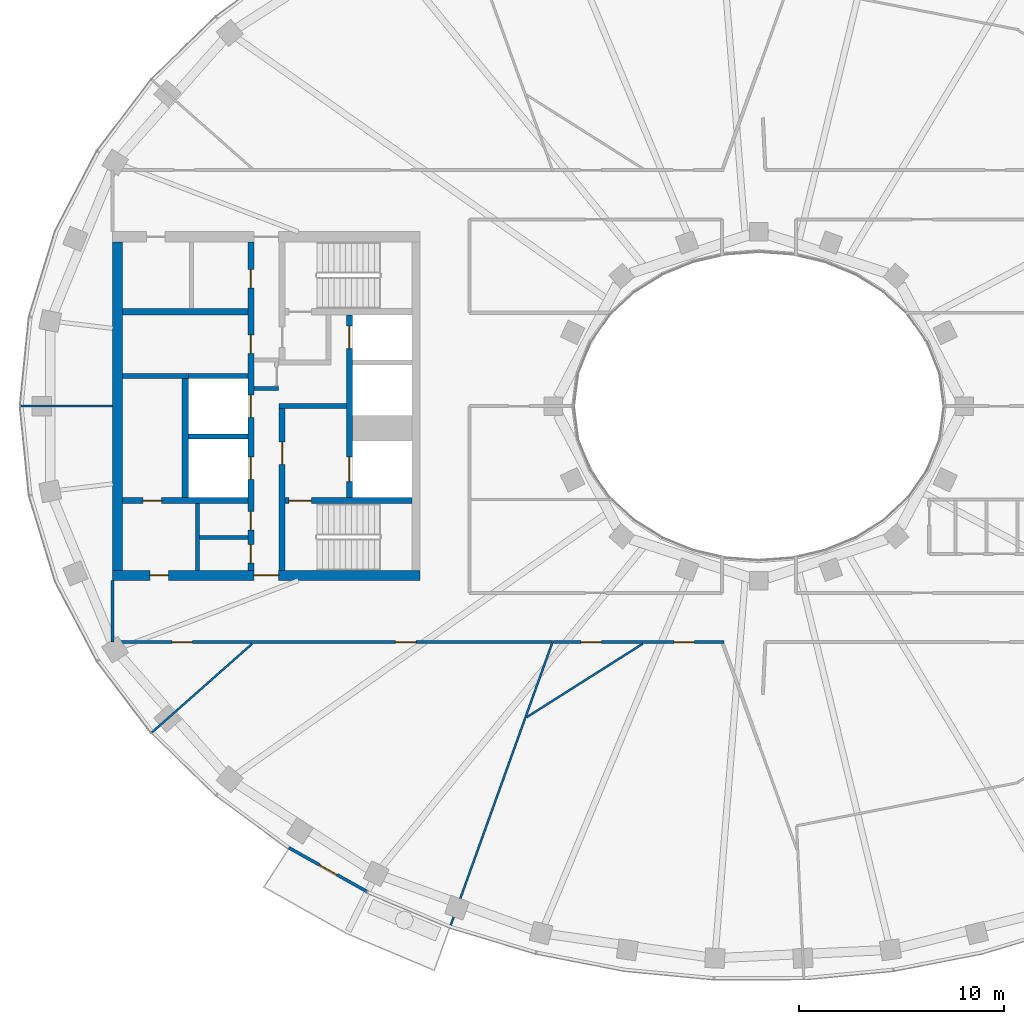
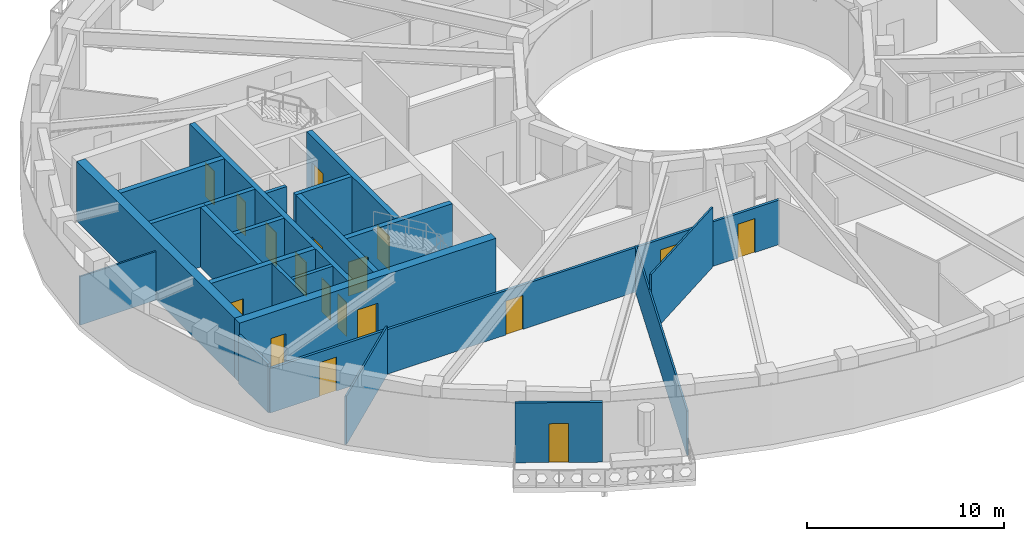
# One storey, part 3 of 15: 24 walls, 18 doors, 18 openings.
"""IFC4 building model written with IfcOpenShell, lengths in metres."""

from ifc_helpers import new_model, si_unit, direction, frame, frame_2d, origin, place, context, subcontext, project, spatial, rectangle, extrude, material, layer, layer_set, type_object, element, fill, save


model = new_model("IFC4")

# Units and contexts
model_context = context("Model", 3, precision=1e-05, world=origin(), true_north=direction((0.0, 1.0)))
body_context = subcontext(model_context, "Body", "Model", "MODEL_VIEW")
ifc_project = project(units=[si_unit("LENGTHUNIT", "METRE"), si_unit("AREAUNIT", "SQUARE_METRE"), si_unit("VOLUMEUNIT", "CUBIC_METRE"), si_unit("PLANEANGLEUNIT", "RADIAN"), si_unit("MASSUNIT", "GRAM", prefix="KILO")], contexts=[model_context])

# Site, building, storey
site_placement = place(None, origin())
site = spatial("IfcSite", under=ifc_project, at=site_placement, CompositionType="ELEMENT")
building_placement = place(site_placement, origin())
building = spatial("IfcBuilding", under=site, at=building_placement, Name="Noorbagh Ring Tower", CompositionType="ELEMENT")
storey_placement = place(building_placement, frame((0.0, 0.0, 307.0)))
storey = spatial("IfcBuildingStorey", under=building, at=storey_placement, Name="L66", CompositionType="ELEMENT", Elevation=307.0)

# Walls
ifc_material_1 = material(Name="Gypsum board on steel studs", Category="steel")
ifc_layer_1 = layer(ifc_material_1, 0.199951171875)
ifc_layer_set_1 = layer_set([ifc_layer_1], Name="Gypsum board on steel studs")
wall_type_1 = type_object("IfcWallType", Name="CORE-PARTITION-200", PredefinedType="PARTITIONING", material=ifc_layer_set_1)
wall_1_placement = place(storey_placement, frame((-23.39990234375, 0.85009765625, 0.0), z_axis=(0.0, 0.0, 1.0), x_axis=(-1.0, 0.0, 0.0)))
element("IfcWall", 1, at=wall_1_placement, inside=storey, type_object=wall_type_1, Name="Core partition W", PredefinedType="PARTITIONING", context=body_context, shape_type="SweptSolid", body=[
    extrude(rectangle(XDim=1.2001953125, YDim=0.199951171875, at=frame_2d((0.60009765625, 0.0))), origin(), (0.0, 0.0, 1.0), 3.699951171875),
])
wall_2_placement = place(storey_placement, frame((-27.35009765625, -8.0, 0.0), z_axis=(0.0, 0.0, 1.0), x_axis=(0.0, 1.0, 0.0)))
element("IfcWall", 2, at=wall_2_placement, inside=storey, type_object=wall_type_1, Name="Core partition W", PredefinedType="PARTITIONING", context=body_context, shape_type="SweptSolid", body=[
    extrude(rectangle(XDim=3.25, YDim=0.199951171875, at=frame_2d((1.625, 0.0))), origin(), (0.0, 0.0, 1.0), 3.699951171875),
])
wall_3_placement = place(storey_placement, frame((-24.89990234375, -6.39990234375, 0.0), z_axis=(0.0, 0.0, 1.0), x_axis=(-1.0, 0.0, 0.0)))
element("IfcWall", 3, at=wall_3_placement, inside=storey, type_object=wall_type_1, Name="Core partition W", PredefinedType="PARTITIONING", context=body_context, shape_type="SweptSolid", body=[
    extrude(rectangle(XDim=2.35009765625, YDim=0.199951171875, at=frame_2d((1.175048828125, 0.0))), origin(), (0.0, 0.0, 1.0), 3.699951171875),
])
ifc_material_2 = material(Name="Concrete C50/60", Category="concrete")
ifc_layer_2 = layer(ifc_material_2, 0.25)
ifc_layer_set_2 = layer_set([ifc_layer_2], Name="Concrete C50/60")
wall_type_2 = type_object("IfcWallType", Name="CORE-WALL-250-C50-60-EI120", PredefinedType="SHEAR", material=ifc_layer_set_2)
wall_4_placement = place(storey_placement, frame((-27.800048828125, 1.47509765625, 0.0), z_axis=(0.0, 0.0, 1.0), x_axis=(-1.0, 0.0, 0.0)))
element("IfcWall", 4, at=wall_4_placement, inside=storey, type_object=wall_type_2, Name="Core wall W", PredefinedType="SHEAR", context=body_context, shape_type="SweptSolid", body=[
    extrude(rectangle(XDim=3.199951171875, YDim=0.25, at=frame_2d((1.60009765625, 0.0))), origin(), (0.0, 0.0, 1.0), 3.699951171875),
])
for number, where, z_axis, x_axis, name in (
    (5, (-24.89990234375, -1.47509765625, 0.0), (0.0, 0.0, 1.0), (-1.0, 0.0, 0.0), "Core wall W"),
    (6, (-24.89990234375, 1.47509765625, 0.0), (0.0, 0.0, 1.0), (-1.0, 0.0, 0.0), "Core wall W"),
):
    element("IfcWall", number, at=place(storey_placement, frame(where, z_axis=z_axis, x_axis=x_axis)), inside=storey, type_object=wall_type_2, Name=name, PredefinedType="SHEAR", context=body_context, shape_type="SweptSolid", body=[
        extrude(rectangle(XDim=2.900146484375, YDim=0.25, at=frame_2d((1.4501953125, 0.0))), origin(), (0.0, 0.0, 1.0), 3.699951171875),
    ])
ifc_material_3 = material(Name="Concrete C50/60", Category="concrete")
ifc_layer_3 = layer(ifc_material_3, 0.25)
ifc_layer_set_3 = layer_set([ifc_layer_3], Name="Concrete C50/60")
wall_type_3 = type_object("IfcWallType", Name="CORE-WALL-250-C50-60-EI240", PredefinedType="SHEAR", material=ifc_layer_set_3)
wall_5_placement = place(storey_placement, frame((-20.10009765625, 0.0, 0.0), z_axis=(0.0, 0.0, 1.0), x_axis=(-1.0, 0.0, 0.0)))
element("IfcWall", 7, at=wall_5_placement, inside=storey, type_object=wall_type_3, Name="Core wall W", PredefinedType="SHEAR", context=body_context, shape_type="SweptSolid", body=[
    extrude(rectangle(XDim=3.27978515625, YDim=0.25, at=frame_2d((1.639892578125, 0.0))), origin(), (0.0, 0.0, 1.0), 3.699951171875),
])
ifc_material_4 = material(Name="Concrete C50/60", Category="concrete")
ifc_layer_4 = layer(ifc_material_4, 0.300048828125)
ifc_layer_set_4 = layer_set([ifc_layer_4], Name="Concrete C50/60")
wall_type_4 = type_object("IfcWallType", Name="CORE-WALL-300-C50-60-EI120", PredefinedType="SHEAR", material=ifc_layer_set_4)
wall_6_placement = place(storey_placement, frame((-27.949951171875, -4.449951171875, 0.0), z_axis=(0.0, 0.0, 1.0), x_axis=(0.0, 1.0, 0.0)))
element("IfcWall", 8, at=wall_6_placement, inside=storey, type_object=wall_type_4, Name="Core wall W", PredefinedType="SHEAR", context=body_context, shape_type="SweptSolid", body=[
    extrude(rectangle(XDim=5.800048828125, YDim=0.300048828125, at=frame_2d((2.89990234375, 0.0))), origin(), (0.0, 0.0, 1.0), 3.699951171875),
])

# Wall, openings, doors
wall_7_placement = place(storey_placement, frame((-19.949951171875, -4.449951171875, 0.0), z_axis=(0.0, 0.0, 1.0), x_axis=(0.0, 1.0, 0.0)))
wall_7 = element("IfcWall", 9, at=wall_7_placement, inside=storey, type_object=wall_type_4, Name="Core wall W", PredefinedType="SHEAR", context=body_context, shape_type="SweptSolid", body=[
    extrude(rectangle(XDim=8.89990234375, YDim=0.300048828125, at=frame_2d((4.449951171875, 0.0))), origin(), (0.0, 0.0, 1.0), 3.699951171875),
])
opening_1_placement = place(wall_7_placement, frame((0.77490234375, 0.0, 0.0)))
opening_1 = element("IfcOpeningElement", 10, at=opening_1_placement, cuts=wall_7, Name="Opening L66-CW01", PredefinedType="OPENING", context=body_context, shape_type="SweptSolid", body=[
    extrude(rectangle(XDim=1.199951171875, YDim=2.10009765625, at=frame_2d((0.60009765625, 1.050048828125))), frame((0.0, 0.16015625, 0.0), z_axis=(0.0, -1.0, 0.0), x_axis=(1.0, 0.0, 0.0)), (0.0, 0.0, 1.0), 0.320068359375),
])
opening_2_placement = place(wall_7_placement, frame((7.25, 0.0, 0.0)))
opening_2 = element("IfcOpeningElement", 11, at=opening_2_placement, cuts=wall_7, Name="Opening L66-CW02", PredefinedType="OPENING", context=body_context, shape_type="SweptSolid", body=[
    extrude(rectangle(XDim=1.10009765625, YDim=2.10009765625, at=frame_2d((0.550048828125, 1.050048828125))), frame((0.0, 0.16015625, 0.0), z_axis=(0.0, -1.0, 0.0), x_axis=(1.0, 0.0, 0.0)), (0.0, 0.0, 1.0), 0.320068359375),
])
ifc_material_5 = material(Name="Steel door leaf", Category="steel")
door_type_1 = type_object("IfcDoorType", Name="CORE-DOOR-LD", OperationType="DOUBLE_DOOR_SLIDING", PredefinedType="DOOR", material=ifc_material_5)
door_1_placement = place(opening_2_placement, origin())
door_1 = element("IfcDoor", 12, at=door_1_placement, inside=storey, type_object=door_type_1, Name="Landing door HR1 L66-CW02", OperationType="DOUBLE_DOOR_SLIDING", OverallHeight=2.10009765625, OverallWidth=1.10009765625, PredefinedType="DOOR", context=body_context, shape_type="SweptSolid", body=[
    extrude(rectangle(XDim=1.10009765625, YDim=2.10009765625, at=frame_2d((0.550048828125, 1.050048828125))), frame((0.0, 0.02490234375, 0.0), z_axis=(0.0, -1.0, 0.0), x_axis=(1.0, 0.0, 0.0)), (0.0, 0.0, 1.0), 0.050048828125),
])
fill(opening_2, door_1)
ifc_material_6 = material(Name="Steel door leaf", Category="steel")
door_type_2 = type_object("IfcDoorType", Name="CORE-DOOR-LDW", OperationType="DOUBLE_DOOR_SLIDING", PredefinedType="DOOR", material=ifc_material_6)
door_2_placement = place(opening_1_placement, origin())
door_2 = element("IfcDoor", 13, at=door_2_placement, inside=storey, type_object=door_type_2, Name="Landing door FF1 L66-CW01", OperationType="DOUBLE_DOOR_SLIDING", OverallHeight=2.10009765625, OverallWidth=1.199951171875, PredefinedType="DOOR", context=body_context, shape_type="SweptSolid", body=[
    extrude(rectangle(XDim=1.199951171875, YDim=2.10009765625, at=frame_2d((0.60009765625, 1.050048828125))), frame((0.0, 0.02490234375, 0.0), z_axis=(0.0, -1.0, 0.0), x_axis=(1.0, 0.0, 0.0)), (0.0, 0.0, 1.0), 0.050048828125),
])
fill(opening_1, door_2)

wall_8_placement = place(storey_placement, frame((-24.75, -8.0, 0.0), z_axis=(0.0, 0.0, 1.0), x_axis=(0.0, 1.0, 0.0)))
wall_8 = element("IfcWall", 14, at=wall_8_placement, inside=storey, type_object=wall_type_4, Name="Core wall W", PredefinedType="SHEAR", context=body_context, shape_type="SweptSolid", body=[
    extrude(rectangle(XDim=16.0, YDim=0.300048828125, at=frame_2d((8.0, 0.0))), origin(), (0.0, 0.0, 1.0), 3.699951171875),
])
opening_3_placement = place(wall_8_placement, frame((4.425048828125, 0.0, 0.0)))
opening_3 = element("IfcOpeningElement", 15, at=opening_3_placement, cuts=wall_8, Name="Opening L66-CW03", PredefinedType="OPENING", context=body_context, shape_type="SweptSolid", body=[
    extrude(rectangle(XDim=1.10009765625, YDim=2.10009765625, at=frame_2d((0.550048828125, 1.050048828125))), frame((0.0, 0.16015625, 0.0), z_axis=(0.0, -1.0, 0.0), x_axis=(1.0, 0.0, 0.0)), (0.0, 0.0, 1.0), 0.320068359375),
])
opening_4_placement = place(wall_8_placement, frame((7.449951171875, 0.0, 0.0)))
opening_4 = element("IfcOpeningElement", 16, at=opening_4_placement, cuts=wall_8, Name="Opening L66-CW04", PredefinedType="OPENING", context=body_context, shape_type="SweptSolid", body=[
    extrude(rectangle(XDim=1.10009765625, YDim=2.10009765625, at=frame_2d((0.550048828125, 1.050048828125))), frame((0.0, 0.16015625, 0.0), z_axis=(0.0, -1.0, 0.0), x_axis=(1.0, 0.0, 0.0)), (0.0, 0.0, 1.0), 0.320068359375),
])
opening_5_placement = place(wall_8_placement, frame((10.574951171875, 0.0, 0.0)))
opening_5 = element("IfcOpeningElement", 17, at=opening_5_placement, cuts=wall_8, Name="Opening L66-CW11", PredefinedType="OPENING", context=body_context, shape_type="SweptSolid", body=[
    extrude(rectangle(XDim=0.89990234375, YDim=2.10009765625, at=frame_2d((0.449951171875, 1.050048828125))), frame((0.0, 0.16015625, 0.0), z_axis=(0.0, -1.0, 0.0), x_axis=(1.0, 0.0, 0.0)), (0.0, 0.0, 1.0), 0.320068359375),
])
opening_6_placement = place(wall_8_placement, frame((13.75, 0.0, 0.0)))
opening_6 = element("IfcOpeningElement", 18, at=opening_6_placement, cuts=wall_8, Name="Opening L66-CW12", PredefinedType="OPENING", context=body_context, shape_type="SweptSolid", body=[
    extrude(rectangle(XDim=0.89990234375, YDim=2.10009765625, at=frame_2d((0.449951171875, 1.050048828125))), frame((0.0, 0.16015625, 0.0), z_axis=(0.0, -1.0, 0.0), x_axis=(1.0, 0.0, 0.0)), (0.0, 0.0, 1.0), 0.320068359375),
])
opening_7_placement = place(wall_8_placement, frame((1.97509765625, 0.0, 0.0)))
opening_7 = element("IfcOpeningElement", 19, at=opening_7_placement, cuts=wall_8, Name="Opening L66-CW14", PredefinedType="OPENING", context=body_context, shape_type="SweptSolid", body=[
    extrude(rectangle(XDim=0.89990234375, YDim=2.10009765625, at=frame_2d((0.449951171875, 1.050048828125))), frame((0.0, 0.16015625, 0.0), z_axis=(0.0, -1.0, 0.0), x_axis=(1.0, 0.0, 0.0)), (0.0, 0.0, 1.0), 0.320068359375),
])
opening_8_placement = place(wall_8_placement, frame((0.35009765625, 0.0, 0.0)))
opening_8 = element("IfcOpeningElement", 20, at=opening_8_placement, cuts=wall_8, Name="Opening L66-CW15", PredefinedType="OPENING", context=body_context, shape_type="SweptSolid", body=[
    extrude(rectangle(XDim=0.89990234375, YDim=2.10009765625, at=frame_2d((0.449951171875, 1.050048828125))), frame((0.0, 0.16015625, 0.0), z_axis=(0.0, -1.0, 0.0), x_axis=(1.0, 0.0, 0.0)), (0.0, 0.0, 1.0), 0.320068359375),
])
ifc_material_7 = material(Name="Steel door leaf", Category="steel")
door_type_3 = type_object("IfcDoorType", Name="CORE-DOOR-DROOM", OperationType="SINGLE_SWING_LEFT", PredefinedType="DOOR", material=ifc_material_7)
door_3_placement = place(opening_5_placement, origin())
door_3 = element("IfcDoor", 21, at=door_3_placement, inside=storey, type_object=door_type_3, Name="Core room door L66-CW11", OperationType="SINGLE_SWING_RIGHT", OverallHeight=2.10009765625, OverallWidth=0.89990234375, PredefinedType="DOOR", context=body_context, shape_type="SweptSolid", body=[
    extrude(rectangle(XDim=0.89990234375, YDim=2.10009765625, at=frame_2d((0.449951171875, 1.050048828125))), frame((0.0, 0.02490234375, 0.0), z_axis=(0.0, -1.0, 0.0), x_axis=(1.0, 0.0, 0.0)), (0.0, 0.0, 1.0), 0.050048828125),
])
fill(opening_5, door_3)
door_4_placement = place(opening_6_placement, origin())
door_4 = element("IfcDoor", 22, at=door_4_placement, inside=storey, type_object=door_type_3, Name="Core room door L66-CW12", OperationType="SINGLE_SWING_RIGHT", OverallHeight=2.10009765625, OverallWidth=0.89990234375, PredefinedType="DOOR", context=body_context, shape_type="SweptSolid", body=[
    extrude(rectangle(XDim=0.89990234375, YDim=2.10009765625, at=frame_2d((0.449951171875, 1.050048828125))), frame((0.0, 0.02490234375, 0.0), z_axis=(0.0, -1.0, 0.0), x_axis=(1.0, 0.0, 0.0)), (0.0, 0.0, 1.0), 0.050048828125),
])
fill(opening_6, door_4)
door_5_placement = place(opening_7_placement, origin())
door_5 = element("IfcDoor", 23, at=door_5_placement, inside=storey, type_object=door_type_3, Name="Core room door L66-CW14", OperationType="SINGLE_SWING_RIGHT", OverallHeight=2.10009765625, OverallWidth=0.89990234375, PredefinedType="DOOR", context=body_context, shape_type="SweptSolid", body=[
    extrude(rectangle(XDim=0.89990234375, YDim=2.10009765625, at=frame_2d((0.449951171875, 1.050048828125))), frame((0.0, 0.02490234375, 0.0), z_axis=(0.0, -1.0, 0.0), x_axis=(1.0, 0.0, 0.0)), (0.0, 0.0, 1.0), 0.050048828125),
])
fill(opening_7, door_5)
door_6_placement = place(opening_8_placement, origin())
door_6 = element("IfcDoor", 24, at=door_6_placement, inside=storey, type_object=door_type_3, Name="Core room door L66-CW15", OperationType="SINGLE_SWING_LEFT", OverallHeight=2.10009765625, OverallWidth=0.89990234375, PredefinedType="DOOR", context=body_context, shape_type="SweptSolid", body=[
    extrude(rectangle(XDim=0.89990234375, YDim=2.10009765625, at=frame_2d((0.449951171875, 1.050048828125))), frame((0.0, 0.02490234375, 0.0), z_axis=(0.0, -1.0, 0.0), x_axis=(1.0, 0.0, 0.0)), (0.0, 0.0, 1.0), 0.050048828125),
])
fill(opening_8, door_6)
door_7_placement = place(opening_3_placement, origin())
door_7 = element("IfcDoor", 25, at=door_7_placement, inside=storey, type_object=door_type_1, Name="Landing door HR5 L66-CW03", OperationType="DOUBLE_DOOR_SLIDING", OverallHeight=2.10009765625, OverallWidth=1.10009765625, PredefinedType="DOOR", context=body_context, shape_type="SweptSolid", body=[
    extrude(rectangle(XDim=1.10009765625, YDim=2.10009765625, at=frame_2d((0.550048828125, 1.050048828125))), frame((0.0, 0.02490234375, 0.0), z_axis=(0.0, -1.0, 0.0), x_axis=(1.0, 0.0, 0.0)), (0.0, 0.0, 1.0), 0.050048828125),
])
fill(opening_3, door_7)
door_8_placement = place(opening_4_placement, origin())
door_8 = element("IfcDoor", 26, at=door_8_placement, inside=storey, type_object=door_type_1, Name="Landing door HR6 L66-CW04", OperationType="DOUBLE_DOOR_SLIDING", OverallHeight=2.10009765625, OverallWidth=1.10009765625, PredefinedType="DOOR", context=body_context, shape_type="SweptSolid", body=[
    extrude(rectangle(XDim=1.10009765625, YDim=2.10009765625, at=frame_2d((0.550048828125, 1.050048828125))), frame((0.0, 0.02490234375, 0.0), z_axis=(0.0, -1.0, 0.0), x_axis=(1.0, 0.0, 0.0)), (0.0, 0.0, 1.0), 0.050048828125),
])
fill(opening_4, door_8)

# Wall
ifc_material_8 = material(Name="Concrete C50/60", Category="concrete")
ifc_layer_5 = layer(ifc_material_8, 0.300048828125)
ifc_layer_set_5 = layer_set([ifc_layer_5], Name="Concrete C50/60")
wall_type_5 = type_object("IfcWallType", Name="CORE-WALL-300-C50-60-EI240", PredefinedType="SHEAR", material=ifc_layer_set_5)
wall_9_placement = place(storey_placement, frame((-24.89990234375, 4.60009765625, 0.0), z_axis=(0.0, 0.0, 1.0), x_axis=(-1.0, 0.0, 0.0)))
element("IfcWall", 27, at=wall_9_placement, inside=storey, type_object=wall_type_5, Name="Core wall W", PredefinedType="SHEAR", context=body_context, shape_type="SweptSolid", body=[
    extrude(rectangle(XDim=6.10009765625, YDim=0.300048828125, at=frame_2d((3.050048828125, 0.0))), origin(), (0.0, 0.0, 1.0), 3.699951171875),
])

# Wall, opening, door
wall_10_placement = place(storey_placement, frame((-24.89990234375, -4.60009765625, 0.0), z_axis=(0.0, 0.0, 1.0), x_axis=(-1.0, 0.0, 0.0)))
wall_10 = element("IfcWall", 28, at=wall_10_placement, inside=storey, type_object=wall_type_5, Name="Core wall W", PredefinedType="SHEAR", context=body_context, shape_type="SweptSolid", body=[
    extrude(rectangle(XDim=6.10009765625, YDim=0.300048828125, at=frame_2d((3.050048828125, 0.0))), origin(), (0.0, 0.0, 1.0), 3.699951171875),
])
opening_9_placement = place(wall_10_placement, frame((4.199951171875, 0.0, 0.0)))
opening_9 = element("IfcOpeningElement", 29, at=opening_9_placement, cuts=wall_10, Name="Opening L66-CW18", PredefinedType="OPENING", context=body_context, shape_type="SweptSolid", body=[
    extrude(rectangle(XDim=0.89990234375, YDim=2.10009765625, at=frame_2d((0.449951171875, 1.050048828125))), frame((0.0, 0.16015625, 0.0), z_axis=(0.0, -1.0, 0.0), x_axis=(1.0, 0.0, 0.0)), (0.0, 0.0, 1.0), 0.320068359375),
])
door_9_placement = place(opening_9_placement, origin())
door_9 = element("IfcDoor", 30, at=door_9_placement, inside=storey, type_object=door_type_3, Name="Core room door L66-CW18", OperationType="SINGLE_SWING_RIGHT", OverallHeight=2.10009765625, OverallWidth=0.89990234375, PredefinedType="DOOR", context=body_context, shape_type="SweptSolid", body=[
    extrude(rectangle(XDim=0.89990234375, YDim=2.10009765625, at=frame_2d((0.449951171875, 1.050048828125))), frame((0.0, 0.02490234375, 0.0), z_axis=(0.0, -1.0, 0.0), x_axis=(1.0, 0.0, 0.0)), (0.0, 0.0, 1.0), 0.050048828125),
])
fill(opening_9, door_9)

wall_11_placement = place(storey_placement, frame((-23.22998046875, -8.0, 0.0), z_axis=(0.0, 0.0, 1.0), x_axis=(0.0, 1.0, 0.0)))
wall_11 = element("IfcWall", 31, at=wall_11_placement, inside=storey, type_object=wall_type_5, Name="Core wall W", PredefinedType="SHEAR", context=body_context, shape_type="SweptSolid", body=[
    extrude(rectangle(XDim=7.875, YDim=0.300048828125, at=frame_2d((3.9375, 0.0))), origin(), (0.0, 0.0, 1.0), 3.699951171875),
])
opening_10_placement = place(wall_11_placement, frame((5.14990234375, 0.0, 0.0)))
opening_10 = element("IfcOpeningElement", 32, at=opening_10_placement, cuts=wall_11, Name="Opening L66-CW07", PredefinedType="OPENING", context=body_context, shape_type="SweptSolid", body=[
    extrude(rectangle(XDim=1.10009765625, YDim=2.10009765625, at=frame_2d((0.550048828125, 1.050048828125))), frame((0.0, 0.16015625, 0.0), z_axis=(0.0, -1.0, 0.0), x_axis=(1.0, 0.0, 0.0)), (0.0, 0.0, 1.0), 0.320068359375),
])
ifc_material_9 = material(Name="Steel door leaf", Category="steel")
door_type_4 = type_object("IfcDoorType", Name="CORE-DOOR-DFF", OperationType="SINGLE_SWING_LEFT", PredefinedType="DOOR", material=ifc_material_9)
door_10_placement = place(opening_10_placement, origin())
door_10 = element("IfcDoor", 33, at=door_10_placement, inside=storey, type_object=door_type_4, Name="Firefighting lobby door L66-CW07", OperationType="SINGLE_SWING_LEFT", OverallHeight=2.10009765625, OverallWidth=1.10009765625, PredefinedType="DOOR", context=body_context, shape_type="SweptSolid", body=[
    extrude(rectangle(XDim=1.10009765625, YDim=2.10009765625, at=frame_2d((0.550048828125, 1.050048828125))), frame((0.0, 0.02490234375, 0.0), z_axis=(0.0, -1.0, 0.0), x_axis=(1.0, 0.0, 0.0)), (0.0, 0.0, 1.0), 0.050048828125),
])
fill(opening_10, door_10)

wall_12_placement = place(storey_placement, frame((-16.89990234375, -4.60009765625, 0.0), z_axis=(0.0, 0.0, 1.0), x_axis=(-1.0, 0.0, 0.0)))
wall_12 = element("IfcWall", 34, at=wall_12_placement, inside=storey, type_object=wall_type_5, Name="Core wall W", PredefinedType="SHEAR", context=body_context, shape_type="SweptSolid", body=[
    extrude(rectangle(XDim=6.18017578125, YDim=0.300048828125, at=frame_2d((3.090087890625, 0.0))), origin(), (0.0, 0.0, 1.0), 3.699951171875),
])
opening_11_placement = place(wall_12_placement, frame((4.89990234375, 0.0, 0.0)))
opening_11 = element("IfcOpeningElement", 35, at=opening_11_placement, cuts=wall_12, Name="Opening L66-CW06", PredefinedType="OPENING", context=body_context, shape_type="SweptSolid", body=[
    extrude(rectangle(XDim=1.10009765625, YDim=2.10009765625, at=frame_2d((0.550048828125, 1.050048828125))), frame((0.0, 0.16015625, 0.0), z_axis=(0.0, -1.0, 0.0), x_axis=(1.0, 0.0, 0.0)), (0.0, 0.0, 1.0), 0.320068359375),
])
ifc_material_10 = material(Name="Steel door leaf", Category="steel")
door_type_5 = type_object("IfcDoorType", Name="CORE-DOOR-DSTAIR", OperationType="SINGLE_SWING_LEFT", PredefinedType="DOOR", material=ifc_material_10)
door_11_placement = place(opening_11_placement, origin())
door_11 = element("IfcDoor", 36, at=door_11_placement, inside=storey, type_object=door_type_5, Name="Stair door ST2 L66-CW06", OperationType="SINGLE_SWING_LEFT", OverallHeight=2.10009765625, OverallWidth=1.10009765625, PredefinedType="DOOR", context=body_context, shape_type="SweptSolid", body=[
    extrude(rectangle(XDim=1.10009765625, YDim=2.10009765625, at=frame_2d((0.550048828125, 1.050048828125))), frame((0.0, 0.02490234375, 0.0), z_axis=(0.0, -1.0, 0.0), x_axis=(1.0, 0.0, 0.0)), (0.0, 0.0, 1.0), 0.050048828125),
])
fill(opening_11, door_11)

# Wall, openings, doors
ifc_material_11 = material(Name="Concrete C50/60", Category="concrete")
ifc_layer_6 = layer(ifc_material_11, 0.5)
ifc_layer_set_6 = layer_set([ifc_layer_6], Name="Concrete C50/60")
wall_type_6 = type_object("IfcWallType", Name="CORE-WALL-500-C50-60-EI240", PredefinedType="SHEAR", material=ifc_layer_set_6)
wall_13_placement = place(storey_placement, frame((-16.5, -8.25, 0.0), z_axis=(0.0, 0.0, 1.0), x_axis=(-1.0, 0.0, 0.0)))
wall_13 = element("IfcWall", 37, at=wall_13_placement, inside=storey, type_object=wall_type_6, Name="Core wall W", PredefinedType="SHEAR", context=body_context, shape_type="SweptSolid", body=[
    extrude(rectangle(XDim=15.0, YDim=0.5, at=frame_2d((7.5, 0.0))), origin(), (0.0, 0.0, 1.0), 3.699951171875),
])
opening_12_placement = place(wall_13_placement, frame((6.89990234375, 0.0, 0.0)))
opening_12 = element("IfcOpeningElement", 38, at=opening_12_placement, cuts=wall_13, Name="Opening L66-CW10", PredefinedType="OPENING", context=body_context, shape_type="SweptSolid", body=[
    extrude(rectangle(XDim=1.199951171875, YDim=2.10009765625, at=frame_2d((0.60009765625, 1.050048828125))), frame((0.0, 0.260009765625, 0.0), z_axis=(0.0, -1.0, 0.0), x_axis=(1.0, 0.0, 0.0)), (0.0, 0.0, 1.0), 0.52001953125),
])
opening_13_placement = place(wall_13_placement, frame((12.27490234375, 0.0, 0.0)))
opening_13 = element("IfcOpeningElement", 39, at=opening_13_placement, cuts=wall_13, Name="Opening L66-CW16", PredefinedType="OPENING", context=body_context, shape_type="SweptSolid", body=[
    extrude(rectangle(XDim=0.89990234375, YDim=2.10009765625, at=frame_2d((0.449951171875, 1.050048828125))), frame((0.0, 0.260009765625, 0.0), z_axis=(0.0, -1.0, 0.0), x_axis=(1.0, 0.0, 0.0)), (0.0, 0.0, 1.0), 0.52001953125),
])
door_12_placement = place(opening_13_placement, origin())
door_12 = element("IfcDoor", 40, at=door_12_placement, inside=storey, type_object=door_type_3, Name="Core room door L66-CW16", OperationType="SINGLE_SWING_LEFT", OverallHeight=2.10009765625, OverallWidth=0.89990234375, PredefinedType="DOOR", context=body_context, shape_type="SweptSolid", body=[
    extrude(rectangle(XDim=0.89990234375, YDim=2.10009765625, at=frame_2d((0.449951171875, 1.050048828125))), frame((0.0, 0.02490234375, 0.0), z_axis=(0.0, -1.0, 0.0), x_axis=(1.0, 0.0, 0.0)), (0.0, 0.0, 1.0), 0.050048828125),
])
fill(opening_13, door_12)
ifc_material_12 = material(Name="Steel door leaf", Category="steel")
door_type_6 = type_object("IfcDoorType", Name="CORE-DOOR-PORT", OperationType="DOUBLE_DOOR_DOUBLE_SWING", PredefinedType="DOOR", material=ifc_material_12)
door_13_placement = place(opening_12_placement, origin())
door_13 = element("IfcDoor", 41, at=door_13_placement, inside=storey, type_object=door_type_6, Name="Core entrance door L66-CW10", OperationType="DOUBLE_DOOR_DOUBLE_SWING", OverallHeight=2.10009765625, OverallWidth=1.199951171875, PredefinedType="DOOR", context=body_context, shape_type="SweptSolid", body=[
    extrude(rectangle(XDim=1.199951171875, YDim=2.10009765625, at=frame_2d((0.60009765625, 1.050048828125))), frame((0.0, 0.02490234375, 0.0), z_axis=(0.0, -1.0, 0.0), x_axis=(1.0, 0.0, 0.0)), (0.0, 0.0, 1.0), 0.050048828125),
])
fill(opening_12, door_13)

# Walls
wall_14_placement = place(storey_placement, frame((-31.25, -8.0, 0.0), z_axis=(0.0, 0.0, 1.0), x_axis=(0.0, 1.0, 0.0)))
element("IfcWall", 42, at=wall_14_placement, inside=storey, type_object=wall_type_6, Name="Core wall W", PredefinedType="SHEAR", context=body_context, shape_type="SweptSolid", body=[
    extrude(rectangle(XDim=16.0, YDim=0.5, at=frame_2d((8.0, 0.0))), origin(), (0.0, 0.0, 1.0), 3.699951171875),
])
ifc_material_13 = material(Name="Gypsum board on steel studs", Category="steel")
ifc_layer_7 = layer(ifc_material_13, 0.14990234375)
ifc_layer_set_7 = layer_set([ifc_layer_7], Name="Gypsum board on steel studs")
wall_type_7 = type_object("IfcWallType", Name="CORRIDOR PARTITION 150 EI 30", PredefinedType="PARTITIONING", material=ifc_layer_set_7)
wall_15_placement = place(storey_placement, frame((-31.5, -11.5, 0.0), z_axis=(0.0, 0.0, 1.0), x_axis=(0.0, 1.0, 0.0)))
element("IfcWall", 43, at=wall_15_placement, inside=storey, type_object=wall_type_7, Name="L66/wall/P02", PredefinedType="PARTITIONING", context=body_context, shape_type="SweptSolid", body=[
    extrude(rectangle(XDim=3.0, YDim=0.14990234375, at=frame_2d((1.5, 0.0))), origin(), (0.0, 0.0, 1.0), 3.0),
])

# Wall, openings, doors
wall_16_placement = place(storey_placement, frame((-31.5, -11.5, 0.0), z_axis=(0.0, 0.0, 1.0), x_axis=(1.0, 0.0, 0.0)))
wall_16 = element("IfcWall", 44, at=wall_16_placement, inside=storey, type_object=wall_type_7, Name="L66/wall/P03", PredefinedType="PARTITIONING", context=body_context, shape_type="SweptSolid", body=[
    extrude(rectangle(XDim=21.431884765625, YDim=0.14990234375, at=frame_2d((10.7158203125, 0.0))), origin(), (0.0, 0.0, 1.0), 2.75),
])
opening_14_placement = place(wall_16_placement, frame((2.89990234375, 0.0, 0.0)))
opening_14 = element("IfcOpeningElement", 45, at=opening_14_placement, cuts=wall_16, Name="Opening D1", PredefinedType="OPENING", context=body_context, shape_type="SweptSolid", body=[
    extrude(rectangle(XDim=1.0, YDim=2.10009765625, at=frame_2d((0.5, 1.050048828125))), frame((0.0, 0.0849609375, 0.0), z_axis=(0.0, -1.0, 0.0), x_axis=(1.0, 0.0, 0.0)), (0.0, 0.0, 1.0), 0.169921875),
])
opening_15_placement = place(wall_16_placement, frame((13.7939453125, 0.0, 0.0)))
opening_15 = element("IfcOpeningElement", 46, at=opening_15_placement, cuts=wall_16, Name="Opening D1", PredefinedType="OPENING", context=body_context, shape_type="SweptSolid", body=[
    extrude(rectangle(XDim=1.0, YDim=2.10009765625, at=frame_2d((0.5, 1.050048828125))), frame((0.0, 0.0849609375, 0.0), z_axis=(0.0, -1.0, 0.0), x_axis=(1.0, 0.0, 0.0)), (0.0, 0.0, 1.0), 0.169921875),
])
ifc_material_14 = material(Name="Timber, painted", Category="wood")
door_type_7 = type_object("IfcDoorType", Name="DOOR 1000 X 2100 FD30", OperationType="SINGLE_SWING_LEFT", PredefinedType="DOOR", material=ifc_material_14)
door_14_placement = place(opening_14_placement, origin())
door_14 = element("IfcDoor", 47, at=door_14_placement, inside=storey, type_object=door_type_7, Name="L66-D06", OperationType="SINGLE_SWING_RIGHT", OverallHeight=2.10009765625, OverallWidth=1.0, PredefinedType="DOOR", context=body_context, shape_type="SweptSolid", body=[
    extrude(rectangle(XDim=1.0, YDim=2.10009765625, at=frame_2d((0.5, 1.050048828125))), frame((0.0, 0.02490234375, 0.0), z_axis=(0.0, -1.0, 0.0), x_axis=(1.0, 0.0, 0.0)), (0.0, 0.0, 1.0), 0.050048828125),
])
fill(opening_14, door_14)
door_15_placement = place(opening_15_placement, origin())
door_15 = element("IfcDoor", 48, at=door_15_placement, inside=storey, type_object=door_type_7, Name="L66-D08", OperationType="SINGLE_SWING_RIGHT", OverallHeight=2.10009765625, OverallWidth=1.0, PredefinedType="DOOR", context=body_context, shape_type="SweptSolid", body=[
    extrude(rectangle(XDim=1.0, YDim=2.10009765625, at=frame_2d((0.5, 1.050048828125))), frame((0.0, 0.02490234375, 0.0), z_axis=(0.0, -1.0, 0.0), x_axis=(1.0, 0.0, 0.0)), (0.0, 0.0, 1.0), 0.050048828125),
])
fill(opening_15, door_15)

wall_17_placement = place(storey_placement, frame((-10.0029296875, -11.5, 0.0), z_axis=(0.0, 0.0, 1.0), x_axis=(1.0, 0.0, 0.0)))
wall_17 = element("IfcWall", 49, at=wall_17_placement, inside=storey, type_object=wall_type_7, Name="L66/wall/P19", PredefinedType="PARTITIONING", context=body_context, shape_type="SweptSolid", body=[
    extrude(rectangle(XDim=8.2978515625, YDim=0.14990234375, at=frame_2d((4.14892578125, 0.0))), origin(), (0.0, 0.0, 1.0), 2.75),
])
opening_16_placement = place(wall_17_placement, frame((5.860107421875, 0.0, 0.0)))
opening_16 = element("IfcOpeningElement", 50, at=opening_16_placement, cuts=wall_17, Name="Opening D1", PredefinedType="OPENING", context=body_context, shape_type="SweptSolid", body=[
    extrude(rectangle(XDim=1.0, YDim=2.10009765625, at=frame_2d((0.5, 1.050048828125))), frame((0.0, 0.0849609375, 0.0), z_axis=(0.0, -1.0, 0.0), x_axis=(1.0, 0.0, 0.0)), (0.0, 0.0, 1.0), 0.169921875),
])
opening_17_placement = place(wall_17_placement, frame((1.3349609375, 0.0, 0.0)))
opening_17 = element("IfcOpeningElement", 51, at=opening_17_placement, cuts=wall_17, Name="Opening D1", PredefinedType="OPENING", context=body_context, shape_type="SweptSolid", body=[
    extrude(rectangle(XDim=1.0, YDim=2.10009765625, at=frame_2d((0.5, 1.050048828125))), frame((0.0, 0.0849609375, 0.0), z_axis=(0.0, -1.0, 0.0), x_axis=(1.0, 0.0, 0.0)), (0.0, 0.0, 1.0), 0.169921875),
])
door_16_placement = place(opening_16_placement, origin())
door_16 = element("IfcDoor", 52, at=door_16_placement, inside=storey, type_object=door_type_7, Name="L66-D10", OperationType="SINGLE_SWING_RIGHT", OverallHeight=2.10009765625, OverallWidth=1.0, PredefinedType="DOOR", context=body_context, shape_type="SweptSolid", body=[
    extrude(rectangle(XDim=1.0, YDim=2.10009765625, at=frame_2d((0.5, 1.050048828125))), frame((0.0, 0.02490234375, 0.0), z_axis=(0.0, -1.0, 0.0), x_axis=(1.0, 0.0, 0.0)), (0.0, 0.0, 1.0), 0.050048828125),
])
fill(opening_16, door_16)
door_17_placement = place(opening_17_placement, origin())
door_17 = element("IfcDoor", 53, at=door_17_placement, inside=storey, type_object=door_type_7, Name="L66-D12", OperationType="SINGLE_SWING_LEFT", OverallHeight=2.10009765625, OverallWidth=1.0, PredefinedType="DOOR", context=body_context, shape_type="SweptSolid", body=[
    extrude(rectangle(XDim=1.0, YDim=2.10009765625, at=frame_2d((0.5, 1.050048828125))), frame((0.0, 0.02490234375, 0.0), z_axis=(0.0, -1.0, 0.0), x_axis=(1.0, 0.0, 0.0)), (0.0, 0.0, 1.0), 0.050048828125),
])
fill(opening_17, door_17)

# Wall, opening, door
ifc_material_15 = material(Name="Insulated aluminium clad panel", Category="aluminium")
ifc_layer_8 = layer(ifc_material_15, 0.14990234375)
ifc_layer_set_8 = layer_set([ifc_layer_8], Name="Insulated aluminium clad panel")
wall_type_8 = type_object("IfcWallType", Name="ENV-WALL-DOOR", PredefinedType="STANDARD", material=ifc_layer_set_8)
wall_18_placement = place(storey_placement, frame((-22.913330078125, -21.508544921875, 0.0), z_axis=(0.0, 0.0, 1.0), x_axis=(0.872046572975, -0.489422899509, 0.0)))
wall_18 = element("IfcWall", 54, at=wall_18_placement, inside=storey, type_object=wall_type_8, Name="Balcony door wall chord 30", PredefinedType="STANDARD", context=body_context, shape_type="SweptSolid", body=[
    extrude(rectangle(XDim=4.425537109375, YDim=0.14990234375, at=frame_2d((2.212890625, 0.0))), origin(), (0.0, 0.0, 1.0), 3.699951171875),
])
opening_18_placement = place(wall_18_placement, frame((1.712646484375, 0.0, 0.0)))
opening_18 = element("IfcOpeningElement", 55, at=opening_18_placement, cuts=wall_18, Name="Opening D-BL", PredefinedType="OPENING", context=body_context, shape_type="SweptSolid", body=[
    extrude(rectangle(XDim=1.0, YDim=2.39990234375, at=frame_2d((0.5, 1.199951171875))), frame((0.0, 0.0849609375, 0.0), z_axis=(0.0, -1.0, 0.0), x_axis=(1.0, 0.0, 0.0)), (0.0, 0.0, 1.0), 0.169921875),
])
ifc_material_16 = material(Name="Aluminium and glass", Category="aluminium")
door_type_8 = type_object("IfcDoorType", Name="ENV-DOOR-BALCONY", OperationType="SINGLE_SWING_LEFT", PredefinedType="DOOR", material=ifc_material_16)
door_18_placement = place(opening_18_placement, origin())
door_18 = element("IfcDoor", 56, at=door_18_placement, inside=storey, type_object=door_type_8, Name="Balcony door chord 30", OperationType="SINGLE_SWING_LEFT", OverallHeight=2.39990234375, OverallWidth=1.0, PredefinedType="DOOR", context=body_context, shape_type="SweptSolid", body=[
    extrude(rectangle(XDim=1.0, YDim=2.39990234375, at=frame_2d((0.5, 1.199951171875))), frame((0.0, 0.02490234375, 0.0), z_axis=(0.0, -1.0, 0.0), x_axis=(1.0, 0.0, 0.0)), (0.0, 0.0, 1.0), 0.050048828125),
])
fill(opening_18, door_18)

# Walls
ifc_material_17 = material(Name="Gypsum board on steel studs", Category="steel")
ifc_layer_9 = layer(ifc_material_17, 0.10009765625)
ifc_layer_set_9 = layer_set([ifc_layer_9], Name="Gypsum board on steel studs")
wall_type_9 = type_object("IfcWallType", Name="PARTITION 100 GYPSUM", PredefinedType="PARTITIONING", material=ifc_layer_set_9)
wall_19_placement = place(storey_placement, frame((-35.948974609375, 0.0, 0.0), z_axis=(0.0, 0.0, 1.0), x_axis=(1.0, 0.0, 0.0)))
element("IfcWall", 57, at=wall_19_placement, inside=storey, type_object=wall_type_9, Name="L66/wall/P01", PredefinedType="PARTITIONING", context=body_context, shape_type="SweptSolid", body=[
    extrude(rectangle(XDim=4.448974609375, YDim=0.10009765625, at=frame_2d((2.224609375, 0.0))), origin(), (0.0, 0.0, 1.0), 3.0),
])
wall_20_placement = place(storey_placement, frame((-29.569091796875, -15.89501953125, 0.0), z_axis=(0.0, 0.0, 1.0), x_axis=(0.748988695283, 0.662582775461, 0.0)))
element("IfcWall", 58, at=wall_20_placement, inside=storey, type_object=wall_type_9, Name="L66/wall/P06", PredefinedType="PARTITIONING", context=body_context, shape_type="SweptSolid", body=[
    extrude(rectangle(XDim=6.515625, YDim=0.10009765625, at=frame_2d((3.2578125, 0.0))), origin(), (0.0, 0.0, 1.0), 3.0),
])
wall_21_placement = place(storey_placement, frame((-15.049072265625, -25.383056640625, 0.0), z_axis=(0.0, 0.0, 1.0), x_axis=(0.338454781071, 0.94098265721, 0.0)))
element("IfcWall", 59, at=wall_21_placement, inside=storey, type_object=wall_type_9, Name="L66/wall/P08", PredefinedType="PARTITIONING", context=body_context, shape_type="SweptSolid", body=[
    extrude(rectangle(XDim=14.829345703125, YDim=0.10009765625, at=frame_2d((7.41455078125, 0.0))), origin(), (0.0, 0.0, 1.0), 2.75),
])
wall_22_placement = place(storey_placement, frame((-11.319091796875, -15.160888671875, 0.0), z_axis=(0.0, 0.0, 1.0), x_axis=(0.844865171483, 0.534979291203, 0.0)))
element("IfcWall", 60, at=wall_22_placement, inside=storey, type_object=wall_type_9, Name="L66/wall/P17", PredefinedType="PARTITIONING", context=body_context, shape_type="SweptSolid", body=[
    extrude(rectangle(XDim=6.702880859375, YDim=0.10009765625, at=frame_2d((3.3515625, 0.0))), origin(), (0.0, 0.0, 1.0), 3.699951171875),
])

save(model, "model.ifc")
